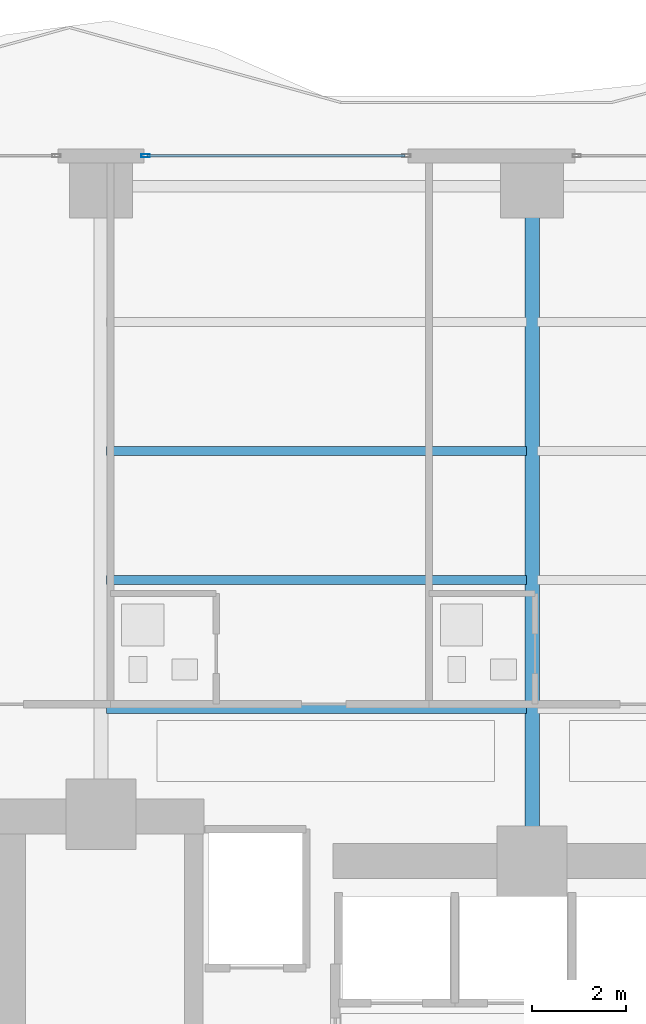
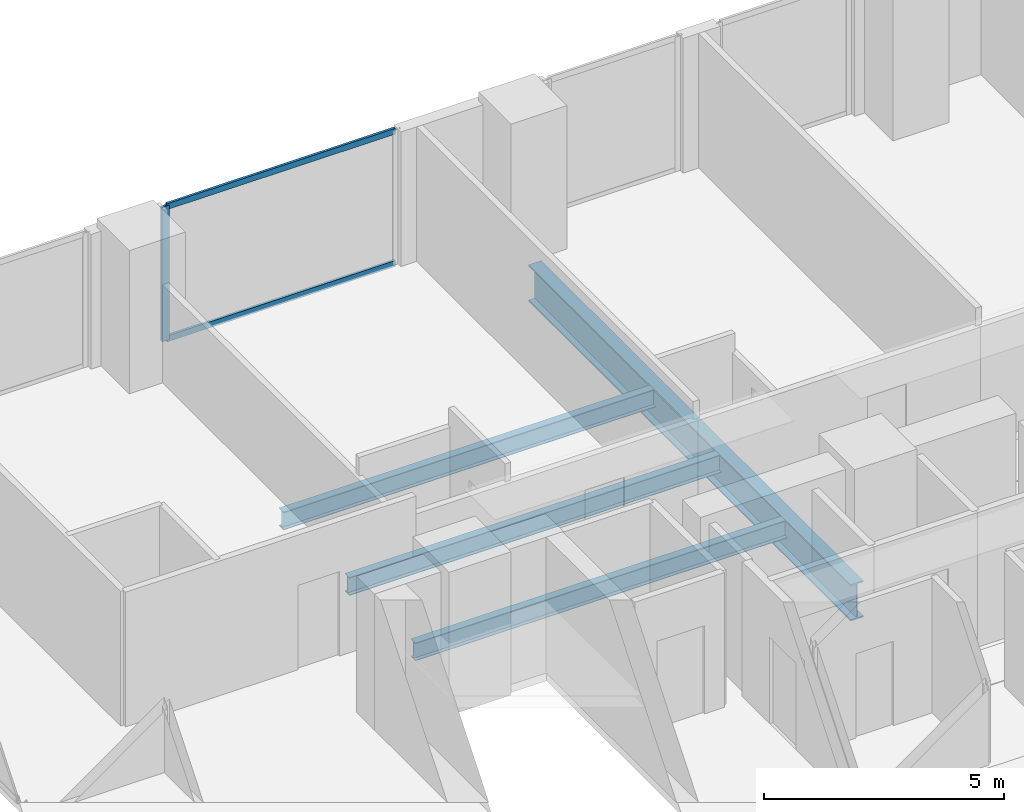
# One storey, part 15 of 29: 4 beams, 3 members, 1 element without a shape of its own.
"""IFC4 building model written with IfcOpenShell, lengths in metres."""

from ifc_helpers import new_model, si_unit, direction, frame, origin, origin_2d, place, context, subcontext, project, spatial, hollow_rectangle, i_section, extrude, material, layer, layer_set, material_profile, profile_set, type_object, element, aggregate, save


model = new_model("IFC4")

# Units and contexts
model_context = context("Model", 3, precision=1e-05, world=origin(), true_north=direction((0.0, 1.0)))
body_context = subcontext(model_context, "Body", "Model", "MODEL_VIEW")
ifc_project = project(units=[si_unit("LENGTHUNIT", "METRE"), si_unit("AREAUNIT", "SQUARE_METRE"), si_unit("VOLUMEUNIT", "CUBIC_METRE"), si_unit("PLANEANGLEUNIT", "RADIAN"), si_unit("MASSUNIT", "GRAM", prefix="KILO")], contexts=[model_context])

# Site, building, storey
site_placement = place(None, origin())
site = spatial("IfcSite", under=ifc_project, at=site_placement, CompositionType="ELEMENT")
building_placement = place(site_placement, origin())
building = spatial("IfcBuilding", under=site, at=building_placement, Name="Zuhayl Quay Hotel", CompositionType="ELEMENT")
storey_placement = place(building_placement, frame((0.0, 0.0, 132.14990234375)))
storey = spatial("IfcBuildingStorey", under=building, at=storey_placement, Name="L33", CompositionType="ELEMENT", Elevation=132.14990234375)

# Beams
ifc_material_1 = material(Name="Steel ASTM A992 Grade 50", Category="steel")
ifc_material_profile_1 = material_profile(ifc_material_1, i_section(OverallWidth=0.18994140625, OverallDepth=0.45703125, WebThickness=0.009033203125, FlangeThickness=0.014404296875, at=origin_2d()), Name="W18X50")
ifc_profile_set_1 = profile_set([ifc_material_profile_1], Name="Steel ASTM A992 Grade 50")
beam_type_1 = type_object("IfcBeamType", Name="BM_J2_W18X50", PredefinedType="JOIST", material=ifc_profile_set_1)
for number, where, z_axis, x_axis, name in (
    (1, (-13.680908203125, 16.60009765625, -0.448486328125), (1.0, 0.0, 0.0), (0.0, 1.0, 0.0), "L33 Floor Beam FJ_L33_1_1"),
    (2, (-13.680908203125, 19.35009765625, -0.448486328125), (1.0, 0.0, 0.0), (0.0, 1.0, 0.0), "L33 Floor Beam FJ_L33_2_1"),
    (3, (-13.680908203125, 22.10009765625, -0.448486328125), (1.0, 0.0, 0.0), (0.0, 1.0, 0.0), "L33 Floor Beam FJ_L33_3_1"),
):
    element("IfcBeam", number, at=place(storey_placement, frame(where, z_axis=z_axis, x_axis=x_axis)), inside=storey, type_object=beam_type_1, Name=name, PredefinedType="JOIST", context=body_context, shape_type="SweptSolid", body=[
        extrude(i_section(OverallWidth=0.18994140625, OverallDepth=0.45703125, WebThickness=0.009033203125, FlangeThickness=0.014404296875, at=origin_2d()), origin(), (0.0, 0.0, 1.0), 8.9619140625),
    ])
ifc_material_profile_2 = material_profile(ifc_material_1, i_section(OverallWidth=0.306884765625, OverallDepth=0.927001953125, WebThickness=0.019287109375, FlangeThickness=0.031982421875, at=origin_2d()), Name="W36X194")
ifc_profile_set_2 = profile_set([ifc_material_profile_2], Name="Steel ASTM A992 Grade 50")
beam_type_2 = type_object("IfcBeamType", Name="BM_PG2_W36X194", PredefinedType="BEAM", material=ifc_profile_set_2)
beam_placement = place(storey_placement, frame((-4.60009765625, 13.800048828125, -0.683349609375), z_axis=(0.0, 1.0, 0.0), x_axis=(-1.0, 0.0, 0.0)))
element("IfcBeam", 4, at=beam_placement, inside=storey, type_object=beam_type_2, Name="L33 Floor Beam FG_N_L33_2", PredefinedType="BEAM", context=body_context, shape_type="SweptSolid", body=[
    extrude(i_section(OverallWidth=0.306884765625, OverallDepth=0.927001953125, WebThickness=0.019287109375, FlangeThickness=0.031982421875, at=origin_2d()), origin(), (0.0, 0.0, 1.0), 13.449951171875),
])

# Curtain wall, members
ifc_material_2 = material(Name="Anodised Aluminium 6063-T6", Category="aluminium")
ifc_layer = layer(ifc_material_2, 0.179931640625, Name="Anodised Aluminium 6063-T6", Category="aluminium")
ifc_layer_set = layer_set([ifc_layer], Name="Anodised Aluminium 6063-T6")
curtain_wall_type = type_object("IfcCurtainWallType", Name="CW_SYS_Z2", PredefinedType="USERDEFINED", material=ifc_layer_set)
curtain_wall_placement = place(storey_placement, origin())
curtain_wall = element("IfcCurtainWall", 5, at=curtain_wall_placement, inside=storey, type_object=curtain_wall_type, Name="L33 Curtain Wall ENV_L33_N_CW2", ObjectType="UNITISED CURTAIN WALL", PredefinedType="USERDEFINED")
ifc_material_3 = material(Name="Black-anodised aluminium 6063-T6", Category="aluminium")
ifc_material_profile_3 = material_profile(ifc_material_3, hollow_rectangle(XDim=0.06494140625, YDim=0.179931640625, WallThickness=0.00341796875, at=origin_2d()), Name="ALU180X65")
ifc_profile_set_3 = profile_set([ifc_material_profile_3], Name="Black-anodised aluminium 6063-T6")
member_type_1 = type_object("IfcMemberType", Name="MB_CW_MUL_180", PredefinedType="MULLION", material=ifc_profile_set_3)
member_1_placement = place(storey_placement, frame((-12.847412109375, 28.39990234375, 0.0), z_axis=(0.0, 0.0, 1.0), x_axis=(0.0, 1.0, 0.0)))
member_1 = element("IfcMember", 6, at=member_1_placement, type_object=member_type_1, Name="CW-Z2 mullion 1", PredefinedType="MULLION", context=body_context, shape_type="SweptSolid", body=[
    extrude(hollow_rectangle(XDim=0.06494140625, YDim=0.179931640625, WallThickness=0.00341796875, at=origin_2d()), origin(), (0.0, 0.0, 1.0), 3.43017578125),
])
ifc_material_profile_4 = material_profile(ifc_material_3, hollow_rectangle(XDim=0.06005859375, YDim=0.14990234375, WallThickness=0.00341796875, at=origin_2d()), Name="ALU150X60")
ifc_profile_set_4 = profile_set([ifc_material_profile_4], Name="Black-anodised aluminium 6063-T6")
member_type_2 = type_object("IfcMemberType", Name="MB_CW_TRN_150", PredefinedType="USERDEFINED", material=ifc_profile_set_4)
member_2_placement = place(storey_placement, frame((-12.81494140625, 28.39990234375, 0.030029296875), z_axis=(1.0, 0.0, 0.0), x_axis=(0.0, 1.0, 0.0)))
member_2 = element("IfcMember", 7, at=member_2_placement, type_object=member_type_2, Name="CW-Z2 transom 1.1", ObjectType="TRANSOM", PredefinedType="USERDEFINED", context=body_context, shape_type="SweptSolid", body=[
    extrude(hollow_rectangle(XDim=0.06005859375, YDim=0.14990234375, WallThickness=0.00341796875, at=origin_2d()), origin(), (0.0, 0.0, 1.0), 5.5),
])
member_3_placement = place(storey_placement, frame((-12.81494140625, 28.39990234375, 3.400146484375), z_axis=(1.0, 0.0, 0.0), x_axis=(0.0, 1.0, 0.0)))
member_3 = element("IfcMember", 8, at=member_3_placement, type_object=member_type_2, Name="CW-Z2 transom 1.2", ObjectType="TRANSOM", PredefinedType="USERDEFINED", context=body_context, shape_type="SweptSolid", body=[
    extrude(hollow_rectangle(XDim=0.06005859375, YDim=0.14990234375, WallThickness=0.00341796875, at=origin_2d()), origin(), (0.0, 0.0, 1.0), 5.5),
])
aggregate(curtain_wall, [member_1, member_2, member_3])

save(model, "model.ifc")
